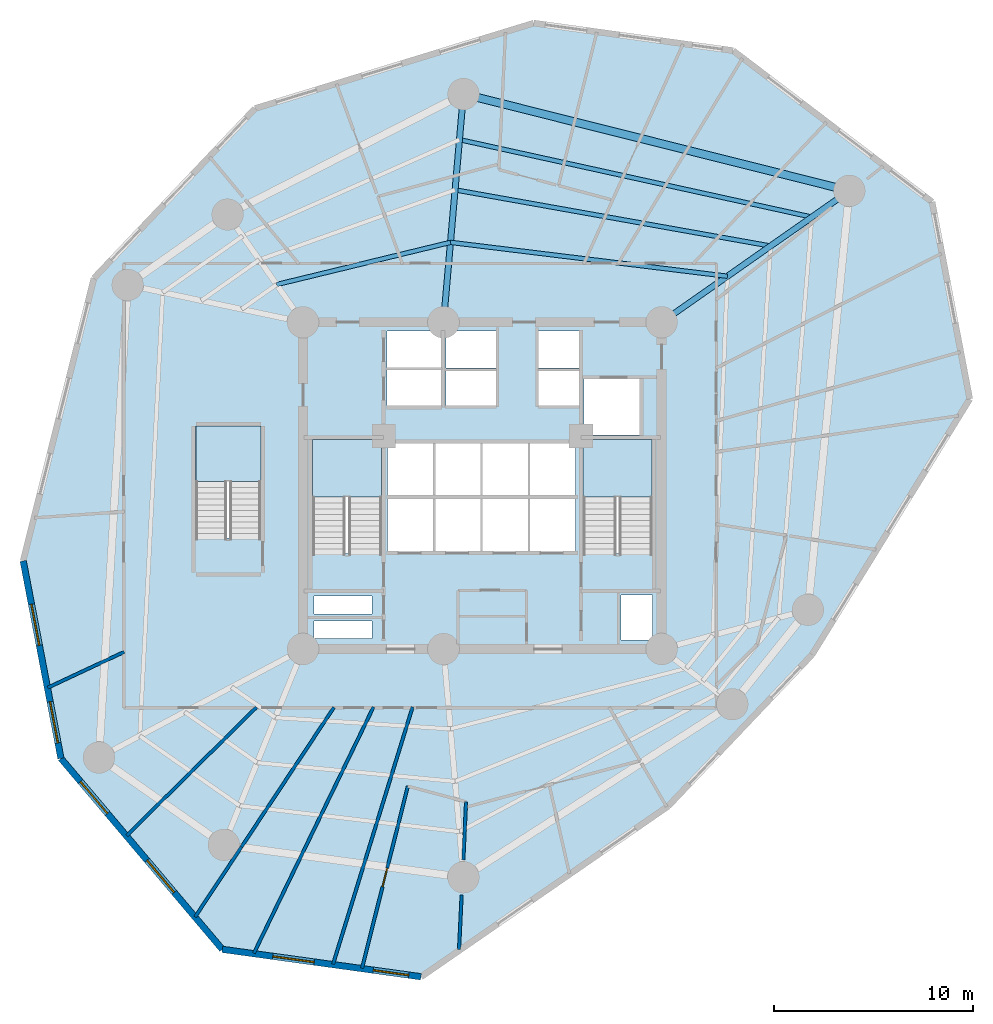
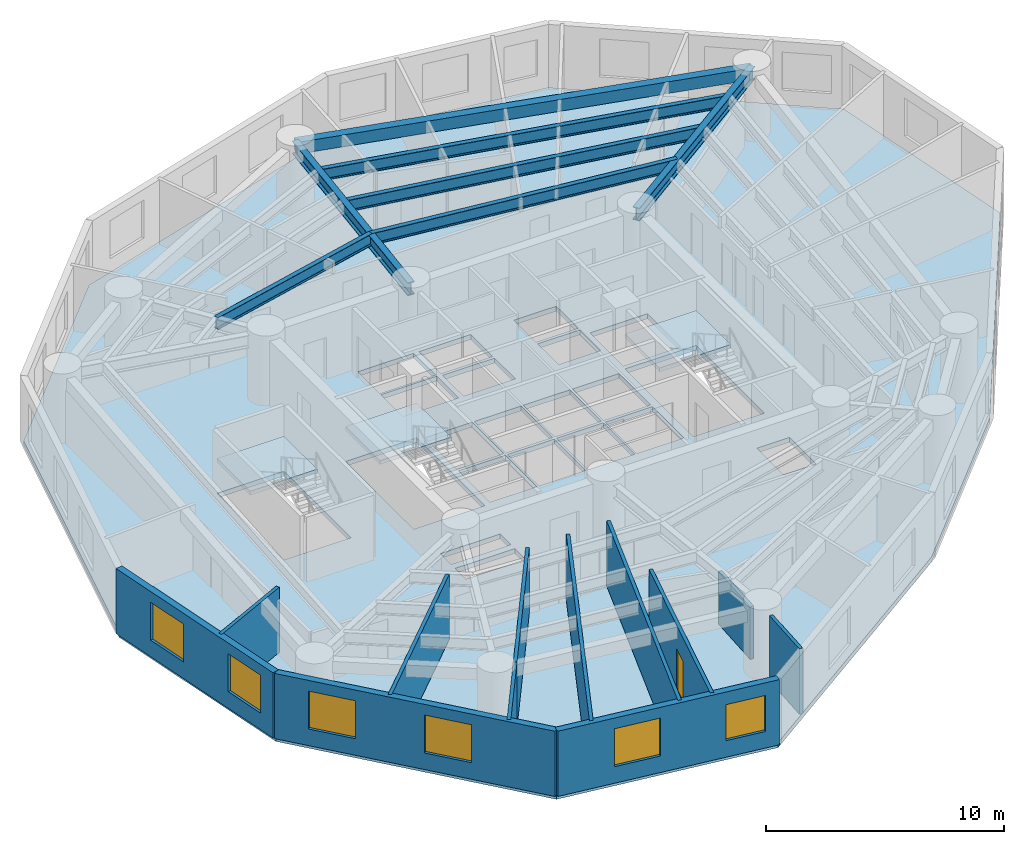
# One storey, part 2 of 8: 12 walls, 7 beams, 6 windows, 4 slabs, 1 door, 7 openings, 3 elements without a shape of their own.
"""IFC4 building model written with IfcOpenShell, lengths in metres."""

from ifc_helpers import new_model, si_unit, direction, frame, frame_2d, origin, origin_with_axes, origin_2d, place, context, subcontext, project, spatial, polyline, rectangle, i_section, outline, extrude, source, transform, mapped, material, layer, layer_set, material_profile, profile_set, type_object, element, fill, aggregate, save


model = new_model("IFC4")

# Units and contexts
model_context = context("Model", 3, precision=1e-05, world=origin(), true_north=direction((0.0, 1.0)))
body_context = subcontext(model_context, "Body", "Model", "MODEL_VIEW")
ifc_project = project(units=[si_unit("LENGTHUNIT", "METRE"), si_unit("AREAUNIT", "SQUARE_METRE"), si_unit("VOLUMEUNIT", "CUBIC_METRE"), si_unit("PLANEANGLEUNIT", "RADIAN"), si_unit("MASSUNIT", "GRAM", prefix="KILO")], contexts=[model_context])

# Site, building, storey
site_placement = place(None, origin())
site = spatial("IfcSite", under=ifc_project, at=site_placement, CompositionType="ELEMENT")
building_placement = place(site_placement, origin())
building = spatial("IfcBuilding", under=site, at=building_placement, Name="Karkom Vertical University and Central Library", CompositionType="ELEMENT")
storey_placement = place(building_placement, frame((0.0, 0.0, 76.89990234375)))
storey = spatial("IfcBuildingStorey", under=building, at=storey_placement, Name="L20", CompositionType="ELEMENT", Elevation=76.89990234375)

# Beams
ifc_material_1 = material(Name="Steel S355", Category="steel")
ifc_material_profile_1 = material_profile(ifc_material_1, i_section(OverallWidth=0.300048828125, OverallDepth=0.64990234375, WebThickness=0.01611328125, FlangeThickness=0.031005859375, FilletRadius=0.027099609375, at=origin_2d()), Name="HE 650 B")
ifc_profile_set_1 = profile_set([ifc_material_profile_1], Name="Steel S355")
beam_type_1 = type_object("IfcBeamType", Name="STR-BM-SB-HE650", PredefinedType="USERDEFINED", material=ifc_profile_set_1)
shared_shape_1 = source(origin_with_axes(), body_context, "Body", "SweptSolid", [
    extrude(i_section(OverallWidth=0.300048828125, OverallDepth=0.64990234375, WebThickness=0.01611328125, FlangeThickness=0.031005859375, FilletRadius=0.027099609375, at=origin_2d()), origin(), (0.0, 0.0, 1.0), 11.49951171875),
])
beam_1_placement = place(storey_placement, frame((37.5, 34.699951171875, 3.025146484375), z_axis=(0.81915012564, 0.573579176457, 0.0), x_axis=(-0.573579176457, 0.81915012564, 0.0)))
element("IfcBeam", 1, at=beam_1_placement, inside=storey, type_object=beam_type_1, Name="Level 20 Radial Frame Girder 02", ObjectType="GIRDER", PredefinedType="USERDEFINED", context=body_context, shape_type="MappedRepresentation", body=[
    mapped(shared_shape_1, transform((0.0, 0.0, 0.0), scale=1.0)),
])
shared_shape_2 = source(origin_with_axes(), body_context, "Body", "SweptSolid", [
    extrude(i_section(OverallWidth=0.300048828125, OverallDepth=0.64990234375, WebThickness=0.01611328125, FlangeThickness=0.031005859375, FilletRadius=0.027099609375, at=origin_2d()), origin(), (0.0, 0.0, 1.0), 11.499755859375),
])
beam_2_placement = place(storey_placement, frame((26.550048828125, 34.699951171875, 3.025146484375), z_axis=(0.087127973109, 0.99619712723, 0.0), x_axis=(-0.99619712723, 0.087127973109, 0.0)))
element("IfcBeam", 2, at=beam_2_placement, inside=storey, type_object=beam_type_1, Name="Level 20 Radial Frame Girder 03", ObjectType="GIRDER", PredefinedType="USERDEFINED", context=body_context, shape_type="MappedRepresentation", body=[
    mapped(shared_shape_2, transform((0.0, 0.0, 0.0), scale=1.0)),
])
ifc_material_2 = material(Name="Precast concrete C45/55", Category="concrete")
ifc_material_profile_2 = material_profile(ifc_material_2, rectangle(XDim=0.39990234375, YDim=0.60009765625, at=origin_2d()), Name="SPB-400x600")
ifc_profile_set_2 = profile_set([ifc_material_profile_2], Name="Precast concrete C45/55")
beam_type_2 = type_object("IfcBeamType", Name="STR-BM-SP-1", PredefinedType="SPANDREL", material=ifc_profile_set_2)
shared_shape_3 = source(origin_with_axes(), body_context, "Body", "SweptSolid", [
    extrude(rectangle(XDim=0.39990234375, YDim=0.60009765625, at=origin_2d()), origin(), (0.0, 0.0, 1.0), 19.968505859375),
])
beam_3_placement = place(storey_placement, frame((46.919921875, 41.2958984375, 3.050048828125), z_axis=(-0.969928522391, 0.243389937039, 0.0), x_axis=(-0.243389937039, -0.969928522391, 0.0)))
element("IfcBeam", 3, at=beam_3_placement, inside=storey, type_object=beam_type_2, Name="Level 20 Perimeter Spandrel Beam 02", PredefinedType="SPANDREL", context=body_context, shape_type="MappedRepresentation", body=[
    mapped(shared_shape_3, transform((0.0, 0.0, 0.0), scale=1.0)),
])
ifc_material_profile_3 = material_profile(ifc_material_1, i_section(OverallWidth=0.219970703125, OverallDepth=0.60009765625, WebThickness=0.011962890625, FlangeThickness=0.01904296875, FilletRadius=0.02392578125, at=origin_2d()), Name="IPE 600")
ifc_profile_set_3 = profile_set([ifc_material_profile_3], Name="Steel S355")
beam_type_3 = type_object("IfcBeamType", Name="STR-BM-SB-IPE600", PredefinedType="BEAM", material=ifc_profile_set_3)
shared_shape_4 = source(origin_with_axes(), body_context, "Body", "SweptSolid", [
    extrude(i_section(OverallWidth=0.219970703125, OverallDepth=0.60009765625, WebThickness=0.011962890625, FlangeThickness=0.01904296875, FilletRadius=0.02392578125, at=origin_2d()), origin(), (0.0, 0.0, 1.0), 14.000244140625),
])
beam_4_placement = place(storey_placement, frame((40.797119140625, 37.008544921875, 3.050048828125), z_axis=(-0.992590166403, 0.121510335198, 0.0), x_axis=(-0.121510335198, -0.992590166403, 0.0)))
element("IfcBeam", 4, at=beam_4_placement, inside=storey, type_object=beam_type_3, Name="Level 20 Secondary Composite Floor Beam 1.02", PredefinedType="BEAM", context=body_context, shape_type="MappedRepresentation", body=[
    mapped(shared_shape_4, transform((0.0, 0.0, 0.0), scale=1.0)),
])
shared_shape_5 = source(origin_with_axes(), body_context, "Body", "SweptSolid", [
    extrude(i_section(OverallWidth=0.219970703125, OverallDepth=0.60009765625, WebThickness=0.011962890625, FlangeThickness=0.01904296875, FilletRadius=0.02392578125, at=origin_2d()), origin(), (0.0, 0.0, 1.0), 8.97900390625),
])
beam_5_placement = place(storey_placement, frame((26.900634765625, 38.709716796875, 3.050048828125), z_axis=(-0.971790837509, -0.235844372697, 0.0), x_axis=(0.235844372697, -0.971790837509, 0.0)))
element("IfcBeam", 5, at=beam_5_placement, inside=storey, type_object=beam_type_3, Name="Level 20 Secondary Composite Floor Beam 1.03", PredefinedType="BEAM", context=body_context, shape_type="MappedRepresentation", body=[
    mapped(shared_shape_5, transform((0.0, 0.0, 0.0), scale=1.0)),
])
shared_shape_6 = source(origin_with_axes(), body_context, "Body", "SweptSolid", [
    extrude(i_section(OverallWidth=0.219970703125, OverallDepth=0.60009765625, WebThickness=0.011962890625, FlangeThickness=0.01904296875, FilletRadius=0.02392578125, at=origin_2d()), origin(), (0.0, 0.0, 1.0), 16.08154296875),
])
beam_6_placement = place(storey_placement, frame((42.963623046875, 38.525634765625, 3.050048828125), z_axis=(-0.984517708807, 0.175285142111, 0.0), x_axis=(-0.175285142111, -0.984517708807, 0.0)))
element("IfcBeam", 6, at=beam_6_placement, inside=storey, type_object=beam_type_3, Name="Level 20 Secondary Composite Floor Beam 2.02", PredefinedType="BEAM", context=body_context, shape_type="MappedRepresentation", body=[
    mapped(shared_shape_6, transform((0.0, 0.0, 0.0), scale=1.0)),
])
shared_shape_7 = source(origin_with_axes(), body_context, "Body", "SweptSolid", [
    extrude(i_section(OverallWidth=0.219970703125, OverallDepth=0.60009765625, WebThickness=0.011962890625, FlangeThickness=0.01904296875, FilletRadius=0.02392578125, at=origin_2d()), origin(), (0.0, 0.0, 1.0), 18.106689453125),
])
beam_7_placement = place(storey_placement, frame((45.035888671875, 39.976806640625, 3.050048828125), z_axis=(-0.976674731786, 0.214724167926, 0.0), x_axis=(-0.214724167926, -0.976674731786, 0.0)))
element("IfcBeam", 7, at=beam_7_placement, inside=storey, type_object=beam_type_3, Name="Level 20 Secondary Composite Floor Beam 3.02", PredefinedType="BEAM", context=body_context, shape_type="MappedRepresentation", body=[
    mapped(shared_shape_7, transform((0.0, 0.0, 0.0), scale=1.0)),
])

# Stair, slab
ifc_material_3 = material(Name="Concrete C45/55", Category="concrete")
stair_type_1 = type_object("IfcStairType", Name="INT-STR-ST-MAIN", PredefinedType="HALF_TURN_STAIR", material=ifc_material_3)
stair_1_placement = place(storey_placement, origin())
stair_1 = element("IfcStair", 8, at=stair_1_placement, inside=storey, type_object=stair_type_1, Name="Level 20 Tower Protected Exit Stair ST-1", PredefinedType="HALF_TURN_STAIR")
ifc_layer_1 = layer(ifc_material_3, 0.199951171875)
ifc_layer_set_1 = layer_set([ifc_layer_1], Name="Concrete C45/55")
slab_type_1 = type_object("IfcSlabType", Name="INT-SLB-LANDING", PredefinedType="LANDING", material=ifc_layer_set_1)
slab_1_placement = place(storey_placement, frame((0.0, 0.0, 1.60009765625)))
slab_1 = element("IfcSlab", 9, at=slab_1_placement, type_object=slab_type_1, Name="ST-1 landing 1", PredefinedType="LANDING", context=body_context, shape_type="SweptSolid", body=[
    extrude(outline(polyline([(23.43994140625, 25.919921875), (23.43994140625, 28.820068359375), (19.97998046875, 28.820068359375), (19.97998046875, 25.919921875), (23.43994140625, 25.919921875)])), origin(), (0.0, 0.0, 1.0), 0.199951171875),
])
aggregate(stair_1, [slab_1])

stair_2_placement = place(storey_placement, origin())
stair_2 = element("IfcStair", 10, at=stair_2_placement, inside=storey, type_object=stair_type_1, Name="Level 20 Tower Protected Exit Stair ST-2", PredefinedType="HALF_TURN_STAIR")
slab_2_placement = place(storey_placement, frame((0.0, 0.0, 1.60009765625)))
slab_2 = element("IfcSlab", 11, at=slab_2_placement, type_object=slab_type_1, Name="ST-2 landing 1", PredefinedType="LANDING", context=body_context, shape_type="SweptSolid", body=[
    extrude(outline(polyline([(37.02001953125, 25.919921875), (37.02001953125, 28.820068359375), (33.56005859375, 28.820068359375), (33.56005859375, 25.919921875), (37.02001953125, 25.919921875)])), origin(), (0.0, 0.0, 1.0), 0.199951171875),
])
aggregate(stair_2, [slab_2])

stair_type_2 = type_object("IfcStairType", Name="INT-STR-ST-SEC", PredefinedType="HALF_TURN_STAIR", material=ifc_material_3)
stair_3_placement = place(storey_placement, origin())
stair_3 = element("IfcStair", 12, at=stair_3_placement, inside=storey, type_object=stair_type_2, Name="Level 20 Academic Zone Protected Exit Stair ST-3", PredefinedType="HALF_TURN_STAIR")
slab_3_placement = place(storey_placement, frame((0.0, 0.0, 1.60009765625)))
slab_3 = element("IfcSlab", 13, at=slab_3_placement, type_object=slab_type_1, Name="ST-3 landing 1", PredefinedType="LANDING", context=body_context, shape_type="SweptSolid", body=[
    extrude(outline(polyline([(17.3798828125, 26.699951171875), (17.3798828125, 29.5), (14.1201171875, 29.5), (14.1201171875, 26.699951171875), (17.3798828125, 26.699951171875)])), origin(), (0.0, 0.0, 1.0), 0.199951171875),
])
aggregate(stair_3, [slab_3])

# Slab
ifc_layer_2 = layer(ifc_material_3, 0.25)
ifc_layer_set_2 = layer_set([ifc_layer_2], Name="Concrete C45/55")
slab_type_2 = type_object("IfcSlabType", Name="STR-SLB-FLR-250", PredefinedType="FLOOR", material=ifc_layer_set_2)
slab_4_placement = place(storey_placement, frame((0.0, 0.0, -0.25)))
element("IfcSlab", 14, at=slab_4_placement, inside=storey, type_object=slab_type_2, Name="Level 20 Tower Structural Floor Slab", PredefinedType="FLOOR", context=body_context, shape_type="SweptSolid", body=[
    extrude(outline(polyline([(17.094970703125, 45.425537109375), (9.010986328125, 36.91259765625), (5.454345703125, 22.721435546875), (7.347900390625, 12.81103515625), (15.447021484375, 3.226318359375), (25.42041015625, 1.85009765625), (37.825439453125, 10.417236328125), (45.04296875, 18.017578125), (52.9580078125, 30.848388671875), (51.068603515625, 40.7373046875), (41.07861328125, 48.330810546875), (31.08349609375, 49.710205078125), (17.094970703125, 45.425537109375)]), holes=[polyline([(19.97998046875, 23.0849609375), (23.43994140625, 23.0849609375), (23.43994140625, 28.820068359375), (19.97998046875, 28.820068359375), (19.97998046875, 23.0849609375)]), polyline([(33.56005859375, 23.0849609375), (37.02001953125, 23.0849609375), (37.02001953125, 28.820068359375), (33.56005859375, 28.820068359375), (33.56005859375, 23.0849609375)]), polyline([(14.1201171875, 23.864990234375), (17.3798828125, 23.864990234375), (17.3798828125, 29.5), (14.1201171875, 29.5), (14.1201171875, 23.864990234375)]), polyline([(23.75, 23.199951171875), (26.030029296875, 23.199951171875), (26.030029296875, 25.85009765625), (23.75, 25.85009765625), (23.75, 23.199951171875)]), polyline([(26.1298828125, 23.199951171875), (28.409912109375, 23.199951171875), (28.409912109375, 25.85009765625), (26.1298828125, 25.85009765625), (26.1298828125, 23.199951171875)]), polyline([(28.510009765625, 23.199951171875), (30.7900390625, 23.199951171875), (30.7900390625, 25.85009765625), (28.510009765625, 25.85009765625), (28.510009765625, 23.199951171875)]), polyline([(30.889892578125, 23.199951171875), (33.169921875, 23.199951171875), (33.169921875, 25.85009765625), (30.889892578125, 25.85009765625), (30.889892578125, 23.199951171875)]), polyline([(23.75, 26.0), (26.030029296875, 26.0), (26.030029296875, 28.64990234375), (23.75, 28.64990234375), (23.75, 26.0)]), polyline([(26.1298828125, 26.0), (28.409912109375, 26.0), (28.409912109375, 28.64990234375), (26.1298828125, 28.64990234375), (26.1298828125, 26.0)]), polyline([(28.510009765625, 26.0), (30.7900390625, 26.0), (30.7900390625, 28.64990234375), (28.510009765625, 28.64990234375), (28.510009765625, 26.0)]), polyline([(30.889892578125, 26.0), (33.169921875, 26.0), (33.169921875, 28.64990234375), (30.889892578125, 28.64990234375), (30.889892578125, 26.0)]), polyline([(26.679931640625, 30.5), (29.199951171875, 30.5), (29.199951171875, 32.25), (26.679931640625, 32.25), (26.679931640625, 30.5)]), polyline([(26.679931640625, 32.39990234375), (29.199951171875, 32.39990234375), (29.199951171875, 34.25), (26.679931640625, 34.25), (26.679931640625, 32.39990234375)]), polyline([(31.300048828125, 30.5), (33.35009765625, 30.5), (33.35009765625, 32.25), (31.300048828125, 32.25), (31.300048828125, 30.5)]), polyline([(31.300048828125, 32.39990234375), (33.35009765625, 32.39990234375), (33.35009765625, 34.25), (31.300048828125, 34.25), (31.300048828125, 32.39990234375)]), polyline([(23.719970703125, 30.47998046875), (26.429931640625, 30.47998046875), (26.429931640625, 32.320068359375), (23.719970703125, 32.320068359375), (23.719970703125, 30.47998046875)]), polyline([(23.719970703125, 32.419921875), (26.429931640625, 32.419921875), (26.429931640625, 34.260009765625), (23.719970703125, 34.260009765625), (23.719970703125, 32.419921875)]), polyline([(33.60009765625, 29.050048828125), (36.39990234375, 29.050048828125), (36.39990234375, 31.85009765625), (33.60009765625, 31.85009765625), (33.60009765625, 29.050048828125)]), polyline([(20.050048828125, 18.820068359375), (22.949951171875, 18.820068359375), (22.949951171875, 19.719970703125), (20.050048828125, 19.719970703125), (20.050048828125, 18.820068359375)]), polyline([(20.050048828125, 20.06005859375), (22.949951171875, 20.06005859375), (22.949951171875, 20.9599609375), (20.050048828125, 20.9599609375), (20.050048828125, 20.06005859375)]), polyline([(35.4599609375, 18.760009765625), (37.0400390625, 18.760009765625), (37.0400390625, 21.010009765625), (35.4599609375, 21.010009765625), (35.4599609375, 18.760009765625)])]), origin(), (0.0, 0.0, 1.0), 0.25),
])

# Wall, openings, windows
ifc_material_4 = material(Name="Brick-faced precast concrete C45/55", Category="masonry")
ifc_layer_3 = layer(ifc_material_4, 0.320068359375)
ifc_layer_set_3 = layer_set([ifc_layer_3], Name="Brick-faced precast concrete C45/55")
wall_type_1 = type_object("IfcWallType", Name="ENV-WL-BRK-320", PredefinedType="SOLIDWALL", material=ifc_layer_set_3)
wall_1_placement = place(storey_placement, frame((5.454345703125, 22.721435546875, 0.0), z_axis=(0.0, 0.0, 1.0), x_axis=(0.187672475232, -0.982231664141, 0.0)))
wall_1 = element("IfcWall", 15, at=wall_1_placement, inside=storey, type_object=wall_type_1, Name="Level 20 Brick-Faced Precast Facade Wall 03", PredefinedType="SOLIDWALL", context=body_context, shape_type="SweptSolid", body=[
    extrude(rectangle(XDim=10.089599609375, YDim=0.320068359375, at=frame_2d((5.044921875, 0.0))), origin(), (0.0, 0.0, 1.0), 3.35009765625),
])
opening_1_placement = place(wall_1_placement, frame((2.214111328125, 0.0, 0.85009765625)))
opening_1 = element("IfcOpeningElement", 16, at=opening_1_placement, cuts=wall_1, Name="Opening WN-03", PredefinedType="OPENING", context=body_context, shape_type="SweptSolid", body=[
    extrude(rectangle(XDim=2.10009765625, YDim=1.949951171875, at=frame_2d((1.050048828125, 0.97509765625))), frame((0.0, 0.169921875, 0.0), z_axis=(0.0, -1.0, 0.0), x_axis=(1.0, 0.0, 0.0)), (0.0, 0.0, 1.0), 0.340087890625),
])
opening_2_placement = place(wall_1_placement, frame((7.198974609375, 0.0, 0.85009765625)))
opening_2 = element("IfcOpeningElement", 17, at=opening_2_placement, cuts=wall_1, Name="Opening WN-03", PredefinedType="OPENING", context=body_context, shape_type="SweptSolid", body=[
    extrude(rectangle(XDim=2.10009765625, YDim=1.949951171875, at=frame_2d((1.050048828125, 0.97509765625))), frame((0.0, 0.169921875, 0.0), z_axis=(0.0, -1.0, 0.0), x_axis=(1.0, 0.0, 0.0)), (0.0, 0.0, 1.0), 0.340087890625),
])
ifc_material_5 = material(Name="Aluminium thermal-break frame with solar-control IGU", Category="aluminium")
window_type_1 = type_object("IfcWindowType", Name="ENV-WIN-WN-03", PartitioningType="SINGLE_PANEL", PredefinedType="WINDOW", material=ifc_material_5)
shared_shape_8 = source(origin_with_axes(), body_context, "Body", "SweptSolid", [
    extrude(rectangle(XDim=2.10009765625, YDim=1.949951171875, at=frame_2d((1.050048828125, 0.97509765625))), frame((0.0, 0.030029296875, 0.0), z_axis=(0.0, -1.0, 0.0), x_axis=(1.0, 0.0, 0.0)), (0.0, 0.0, 1.0), 0.06005859375),
])
window_1_placement = place(opening_1_placement, origin())
window_1 = element("IfcWindow", 18, at=window_1_placement, inside=storey, type_object=window_type_1, Name="Level 20 Punched Window 3.1", OverallHeight=1.949951171875, OverallWidth=2.10009765625, PartitioningType="SINGLE_PANEL", PredefinedType="WINDOW", context=body_context, shape_type="MappedRepresentation", body=[
    mapped(shared_shape_8, transform((0.0, 0.0, 0.0), scale=1.0)),
])
fill(opening_1, window_1)
window_2_placement = place(opening_2_placement, origin())
window_2 = element("IfcWindow", 19, at=window_2_placement, inside=storey, type_object=window_type_1, Name="Level 20 Punched Window 3.2", OverallHeight=1.949951171875, OverallWidth=2.10009765625, PartitioningType="SINGLE_PANEL", PredefinedType="WINDOW", context=body_context, shape_type="MappedRepresentation", body=[
    mapped(shared_shape_8, transform((0.0, 0.0, 0.0), scale=1.0)),
])
fill(opening_2, window_2)

wall_2_placement = place(storey_placement, frame((7.347900390625, 12.81103515625, 0.0), z_axis=(0.0, 0.0, 1.0), x_axis=(0.645430137591, -0.76381930945, 0.0)))
wall_2 = element("IfcWall", 20, at=wall_2_placement, inside=storey, type_object=wall_type_1, Name="Level 20 Brick-Faced Precast Facade Wall 04", PredefinedType="SOLIDWALL", context=body_context, shape_type="SweptSolid", body=[
    extrude(rectangle(XDim=12.54833984375, YDim=0.320068359375, at=frame_2d((6.274169921875, 0.0))), origin(), (0.0, 0.0, 1.0), 3.35009765625),
])
opening_3_placement = place(wall_2_placement, frame((1.523681640625, 0.0, 0.85009765625)))
opening_3 = element("IfcOpeningElement", 21, at=opening_3_placement, cuts=wall_2, Name="Opening WN-03", PredefinedType="OPENING", context=body_context, shape_type="SweptSolid", body=[
    extrude(rectangle(XDim=2.10009765625, YDim=1.949951171875, at=frame_2d((1.050048828125, 0.97509765625))), frame((0.0, 0.169921875, 0.0), z_axis=(0.0, -1.0, 0.0), x_axis=(1.0, 0.0, 0.0)), (0.0, 0.0, 1.0), 0.340087890625),
])
opening_4_placement = place(wall_2_placement, frame((6.697998046875, 0.0, 0.85009765625)))
opening_4 = element("IfcOpeningElement", 22, at=opening_4_placement, cuts=wall_2, Name="Opening WN-03", PredefinedType="OPENING", context=body_context, shape_type="SweptSolid", body=[
    extrude(rectangle(XDim=2.10009765625, YDim=1.949951171875, at=frame_2d((1.050048828125, 0.97509765625))), frame((0.0, 0.169921875, 0.0), z_axis=(0.0, -1.0, 0.0), x_axis=(1.0, 0.0, 0.0)), (0.0, 0.0, 1.0), 0.340087890625),
])
window_3_placement = place(opening_3_placement, origin())
window_3 = element("IfcWindow", 23, at=window_3_placement, inside=storey, type_object=window_type_1, Name="Level 20 Punched Window 4.1", OverallHeight=1.949951171875, OverallWidth=2.10009765625, PartitioningType="SINGLE_PANEL", PredefinedType="WINDOW", context=body_context, shape_type="MappedRepresentation", body=[
    mapped(shared_shape_8, transform((0.0, 0.0, 0.0), scale=1.0)),
])
fill(opening_3, window_3)
window_4_placement = place(opening_4_placement, origin())
window_4 = element("IfcWindow", 24, at=window_4_placement, inside=storey, type_object=window_type_1, Name="Level 20 Punched Window 4.2", OverallHeight=1.949951171875, OverallWidth=2.10009765625, PartitioningType="SINGLE_PANEL", PredefinedType="WINDOW", context=body_context, shape_type="MappedRepresentation", body=[
    mapped(shared_shape_8, transform((0.0, 0.0, 0.0), scale=1.0)),
])
fill(opening_4, window_4)

wall_3_placement = place(storey_placement, frame((15.447021484375, 3.226318359375, 0.0), z_axis=(0.0, 0.0, 1.0), x_axis=(0.990613318008, -0.136694016636, 0.0)))
wall_3 = element("IfcWall", 25, at=wall_3_placement, inside=storey, type_object=wall_type_1, Name="Level 20 Brick-Faced Precast Facade Wall 05", PredefinedType="SOLIDWALL", context=body_context, shape_type="SweptSolid", body=[
    extrude(rectangle(XDim=10.06787109375, YDim=0.320068359375, at=frame_2d((5.033935546875, 0.0))), origin(), (0.0, 0.0, 1.0), 3.35009765625),
])
opening_5_placement = place(wall_3_placement, frame((2.56298828125, 0.0, 0.85009765625)))
opening_5 = element("IfcOpeningElement", 26, at=opening_5_placement, cuts=wall_3, Name="Opening WN-03", PredefinedType="OPENING", context=body_context, shape_type="SweptSolid", body=[
    extrude(rectangle(XDim=2.10009765625, YDim=1.949951171875, at=frame_2d((1.050048828125, 0.97509765625))), frame((0.0, 0.169921875, 0.0), z_axis=(0.0, -1.0, 0.0), x_axis=(1.0, 0.0, 0.0)), (0.0, 0.0, 1.0), 0.340087890625),
])
opening_6_placement = place(wall_3_placement, frame((7.64453125, 0.0, 0.85009765625)))
opening_6 = element("IfcOpeningElement", 27, at=opening_6_placement, cuts=wall_3, Name="Opening WN-04", PredefinedType="OPENING", context=body_context, shape_type="SweptSolid", body=[
    extrude(rectangle(XDim=1.800048828125, YDim=1.85009765625, at=frame_2d((0.89990234375, 0.925048828125))), frame((0.0, 0.169921875, 0.0), z_axis=(0.0, -1.0, 0.0), x_axis=(1.0, 0.0, 0.0)), (0.0, 0.0, 1.0), 0.340087890625),
])
window_5_placement = place(opening_5_placement, origin())
window_5 = element("IfcWindow", 28, at=window_5_placement, inside=storey, type_object=window_type_1, Name="Level 20 Punched Window 5.1", OverallHeight=1.949951171875, OverallWidth=2.10009765625, PartitioningType="SINGLE_PANEL", PredefinedType="WINDOW", context=body_context, shape_type="MappedRepresentation", body=[
    mapped(shared_shape_8, transform((0.0, 0.0, 0.0), scale=1.0)),
])
fill(opening_5, window_5)
window_type_2 = type_object("IfcWindowType", Name="ENV-WIN-WN-04", PartitioningType="SINGLE_PANEL", PredefinedType="WINDOW", material=ifc_material_5)
shared_shape_9 = source(origin_with_axes(), body_context, "Body", "SweptSolid", [
    extrude(rectangle(XDim=1.800048828125, YDim=1.85009765625, at=frame_2d((0.89990234375, 0.925048828125))), frame((0.0, 0.030029296875, 0.0), z_axis=(0.0, -1.0, 0.0), x_axis=(1.0, 0.0, 0.0)), (0.0, 0.0, 1.0), 0.06005859375),
])
window_6_placement = place(opening_6_placement, origin())
window_6 = element("IfcWindow", 29, at=window_6_placement, inside=storey, type_object=window_type_2, Name="Level 20 Punched Window 5.2", OverallHeight=1.85009765625, OverallWidth=1.800048828125, PartitioningType="SINGLE_PANEL", PredefinedType="WINDOW", context=body_context, shape_type="MappedRepresentation", body=[
    mapped(shared_shape_9, transform((0.0, 0.0, 0.0), scale=1.0)),
])
fill(opening_6, window_6)

# Walls
ifc_material_6 = material(Name="Insulated metal-stud drywall 160mm", Category="gypsum")
ifc_layer_4 = layer(ifc_material_6, 0.159912109375)
ifc_layer_set_4 = layer_set([ifc_layer_4], Name="Insulated metal-stud drywall 160mm")
wall_type_2 = type_object("IfcWallType", Name="INT-WL-COR-160", PredefinedType="PARTITIONING", material=ifc_layer_set_4)
wall_4_placement = place(storey_placement, frame((23.036865234375, 15.390380859375, 0.0), z_axis=(0.0, 0.0, 1.0), x_axis=(-0.436938889673, -0.899491193226, 0.0)))
element("IfcWall", 30, at=wall_4_placement, inside=storey, type_object=wall_type_2, Name="Level 20 Interior Partition Wall L20-PW-006", PredefinedType="PARTITIONING", context=body_context, shape_type="SweptSolid", body=[
    extrude(rectangle(XDim=13.7353515625, YDim=0.159912109375, at=frame_2d((6.86767578125, 0.0))), origin(), (0.0, 0.0, 1.0), 3.35009765625),
])
wall_5_placement = place(storey_placement, frame((25.0009765625, 15.39306640625, 0.0), z_axis=(0.0, 0.0, 1.0), x_axis=(-0.29553806887, -0.955330963514, 0.0)))
element("IfcWall", 31, at=wall_5_placement, inside=storey, type_object=wall_type_2, Name="Level 20 Interior Partition Wall L20-PW-007", PredefinedType="PARTITIONING", context=body_context, shape_type="SweptSolid", body=[
    extrude(rectangle(XDim=13.511474609375, YDim=0.159912109375, at=frame_2d((6.755859375, 0.0))), origin(), (0.0, 0.0, 1.0), 3.35009765625),
])

# Wall, opening, door
wall_6_placement = place(storey_placement, frame((22.46142578125, 2.283935546875, 0.0), z_axis=(0.0, 0.0, 1.0), x_axis=(0.244291469889, 0.969701849921, 0.0)))
wall_6 = element("IfcWall", 32, at=wall_6_placement, inside=storey, type_object=wall_type_2, Name="Level 20 Interior Partition Wall L20-PW-008", PredefinedType="PARTITIONING", context=body_context, shape_type="SweptSolid", body=[
    extrude(rectangle(XDim=9.420166015625, YDim=0.159912109375, at=frame_2d((4.7099609375, 0.0))), origin(), (0.0, 0.0, 1.0), 3.35009765625),
])
opening_7_placement = place(wall_6_placement, frame((4.217529296875, 0.0, 0.0)))
opening_7 = element("IfcOpeningElement", 33, at=opening_7_placement, cuts=wall_6, Name="Opening D-RM1", PredefinedType="OPENING", context=body_context, shape_type="SweptSolid", body=[
    extrude(rectangle(XDim=0.949951171875, YDim=2.14990234375, at=frame_2d((0.47509765625, 1.074951171875))), frame((0.0, 0.08984375, 0.0), z_axis=(0.0, -1.0, 0.0), x_axis=(1.0, 0.0, 0.0)), (0.0, 0.0, 1.0), 0.179931640625),
])
ifc_material_7 = material(Name="Solid-core oak veneer door", Category="wood")
door_type = type_object("IfcDoorType", Name="INT-DR-RM1", OperationType="NOTDEFINED", PredefinedType="DOOR", material=ifc_material_7)
shared_shape_10 = source(origin_with_axes(), body_context, "Body", "SweptSolid", [
    extrude(rectangle(XDim=0.949951171875, YDim=2.14990234375, at=frame_2d((0.47509765625, 1.074951171875))), frame((0.0, 0.02490234375, 0.0), z_axis=(0.0, -1.0, 0.0), x_axis=(1.0, 0.0, 0.0)), (0.0, 0.0, 1.0), 0.050048828125),
])
door_placement = place(opening_7_placement, origin())
door = element("IfcDoor", 34, at=door_placement, inside=storey, type_object=door_type, Name="Level 20 Room Entry Door 050", OperationType="SINGLE_SWING_LEFT", OverallHeight=2.14990234375, OverallWidth=0.949951171875, PredefinedType="DOOR", context=body_context, shape_type="MappedRepresentation", body=[
    mapped(shared_shape_10, transform((0.0, 0.0, 0.0), scale=1.0)),
])
fill(opening_7, door)

# Walls
wall_7_placement = place(storey_placement, frame((17.1689453125, 15.381591796875, 0.0), z_axis=(0.0, 0.0, 1.0), x_axis=(-0.711131694036, -0.703058826654, 0.0)))
element("IfcWall", 35, at=wall_7_placement, inside=storey, type_object=wall_type_2, Name="Level 20 Interior Partition Wall L20-PW-003", PredefinedType="PARTITIONING", context=body_context, shape_type="SweptSolid", body=[
    extrude(rectangle(XDim=9.163330078125, YDim=0.159912109375, at=frame_2d((4.58154296875, 0.0))), origin(), (0.0, 0.0, 1.0), 3.35009765625),
])
wall_8_placement = place(storey_placement, frame((21.0546875, 15.375, 0.0), z_axis=(0.0, 0.0, 1.0), x_axis=(-0.552453765645, -0.833543542248, 0.0)))
element("IfcWall", 36, at=wall_8_placement, inside=storey, type_object=wall_type_2, Name="Level 20 Interior Partition Wall L20-PW-004", PredefinedType="PARTITIONING", context=body_context, shape_type="SweptSolid", body=[
    extrude(rectangle(XDim=8.409423828125, YDim=0.159912109375, at=frame_2d((4.20458984375, 0.0))), origin(), (0.0, 0.0, 1.0), 3.35009765625),
])
wall_9_placement = place(storey_placement, frame((10.527099609375, 18.1572265625, 0.0), z_axis=(0.0, 0.0, 1.0), x_axis=(-0.905772735817, -0.423763791577, 0.0)))
element("IfcWall", 37, at=wall_9_placement, inside=storey, type_object=wall_type_2, Name="Level 20 Interior Partition Wall L20-PW-001", PredefinedType="PARTITIONING", context=body_context, shape_type="SweptSolid", body=[
    extrude(rectangle(XDim=4.229248046875, YDim=0.159912109375, at=frame_2d((2.11474609375, 0.0))), origin(), (0.0, 0.0, 1.0), 3.35009765625),
])
wall_10_placement = place(storey_placement, frame((16.40625, 8.361328125, 0.0), z_axis=(0.0, 0.0, 1.0), x_axis=(-0.552446963092, -0.833548050787, 0.0)))
element("IfcWall", 38, at=wall_10_placement, inside=storey, type_object=wall_type_2, Name="Level 20 Interior Partition Wall L20-PW-005", PredefinedType="PARTITIONING", context=body_context, shape_type="SweptSolid", body=[
    extrude(rectangle(XDim=4.20458984375, YDim=0.159912109375, at=frame_2d((2.102294921875, 0.0))), origin(), (0.0, 0.0, 1.0), 3.35009765625),
])
wall_11_placement = place(storey_placement, frame((27.68310546875, 10.635986328125, 0.0), z_axis=(0.0, 0.0, 1.0), x_axis=(-0.047652686873, -0.99886396543, 0.0)))
element("IfcWall", 39, at=wall_11_placement, inside=storey, type_object=wall_type_2, Name="Level 20 Interior Partition Wall L20-PW-010", PredefinedType="PARTITIONING", context=body_context, shape_type="SweptSolid", body=[
    extrude(rectangle(XDim=2.915283203125, YDim=0.159912109375, at=frame_2d((1.45751953125, 0.0))), origin(), (0.0, 0.0, 1.0), 2.7001953125),
])
wall_12_placement = place(storey_placement, frame((27.460205078125, 5.964111328125, 0.0), z_axis=(0.0, 0.0, 1.0), x_axis=(-0.047628358421, -0.998865125767, 0.0)))
element("IfcWall", 40, at=wall_12_placement, inside=storey, type_object=wall_type_2, Name="Level 20 Interior Partition Wall L20-PW-011", PredefinedType="PARTITIONING", context=body_context, shape_type="SweptSolid", body=[
    extrude(rectangle(XDim=2.752685546875, YDim=0.159912109375, at=frame_2d((1.37646484375, 0.0))), origin(), (0.0, 0.0, 1.0), 3.35009765625),
])

save(model, "model.ifc")
